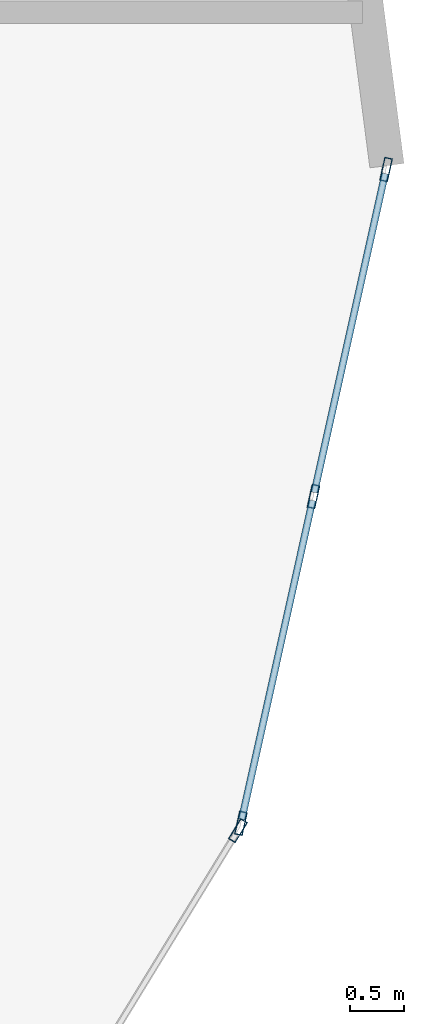
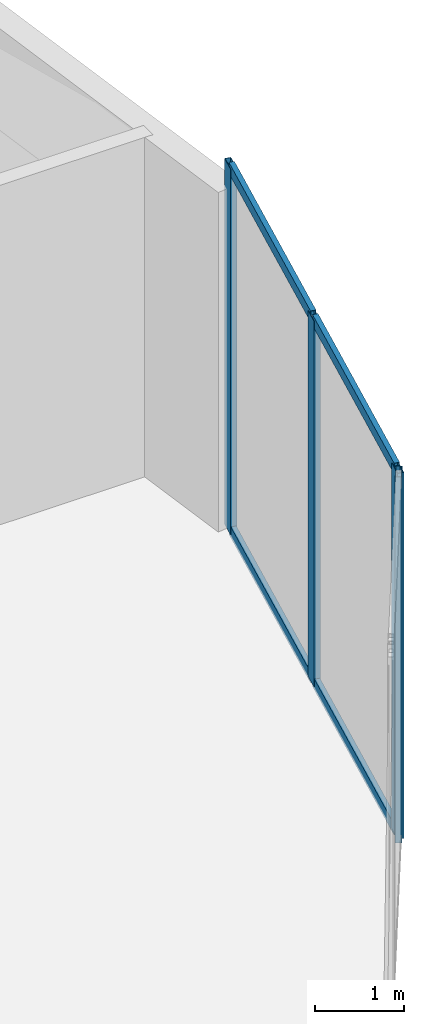
# One storey, part 14 of 31: 8 members, 2 elements without a shape of their own.
"""IFC4 building model written with IfcOpenShell, lengths in metres."""

import ifcopenshell
import ifcopenshell.guid

model = None  # the IFC model being written
_history = None  # IfcOwnerHistory: only IFC2X3 demands one
_inside = {}  # id of a spatial element -> (the spatial element, [elements in it])
_under = {}  # id of a project, library or spatial element -> (it, [spatial elements below it])
_declared = {}  # id of a project -> (the project, [libraries it declares])
_typed = {}  # id of a type object -> (the type object, [elements of that type])
_made_of = {}  # id of a material, layer set ... -> (it, [elements and type objects made of it])


def new_model(schema):
    """Start an empty IFC model of exactly this schema.

    Asked for "IFC4X3", IfcOpenShell would pick the latest addendum, in which some entities
    have other attributes; the version numbers below select the first issue.
    IFC2X3 requires an IfcOwnerHistory on every rooted entity: one is made here for all.
    """
    global model, _history
    if schema == "IFC4X3":
        model = ifcopenshell.file(schema_version=(4, 3, 0, 0))
    else:
        model = ifcopenshell.file(schema=schema)
    _inside.clear()
    _under.clear()
    _declared.clear()
    _typed.clear()
    _made_of.clear()
    _history = None
    if model.schema == "IFC2X3":
        org = make("IfcOrganization", Name="unknown")
        user = make(
            "IfcPersonAndOrganization",
            ThePerson=make("IfcPerson", FamilyName="unknown"),
            TheOrganization=org,
        )
        app = make(
            "IfcApplication",
            ApplicationDeveloper=org,
            Version="unknown",
            ApplicationFullName="unknown",
            ApplicationIdentifier="unknown",
        )
        _history = make(
            "IfcOwnerHistory",
            OwningUser=user,
            OwningApplication=app,
            ChangeAction="ADDED",
            CreationDate=0,
        )
    return model


def make(cls, **values):
    """One entity of the class cls with the attributes given. An attribute that is None is left unset."""
    return model.create_entity(
        cls, **{name: value for name, value in values.items() if value is not None}
    )


def rooted(cls, **values):
    """An entity with a GlobalId (a new one), such as an element, a storey or a relation."""
    return make(cls, GlobalId=ifcopenshell.guid.new(), OwnerHistory=_history, **values)


def si_unit(unit_type, name, prefix=None):
    """IfcSIUnit, for example si_unit("LENGTHUNIT", "METRE", prefix="MILLI")."""
    return make("IfcSIUnit", UnitType=unit_type, Prefix=prefix, Name=name)


def assignment(units):
    """IfcUnitAssignment: the units of a project."""
    return None if units is None else make("IfcUnitAssignment", Units=units)


def point(xyz):
    """IfcCartesianPoint."""
    return None if xyz is None else make("IfcCartesianPoint", Coordinates=xyz)


def direction(xyz):
    """IfcDirection."""
    return None if xyz is None else make("IfcDirection", DirectionRatios=xyz)


def frame(location, z_axis=None, x_axis=None):
    """IfcAxis2Placement3D, a coordinate frame: its origin and axes. An axis left out is left unset."""
    return make(
        "IfcAxis2Placement3D",
        Location=point(location),
        Axis=direction(z_axis),
        RefDirection=direction(x_axis),
    )


def frame_2d(location, x_axis=None):
    """IfcAxis2Placement2D, a coordinate frame in the plane: its origin and x axis."""
    return make(
        "IfcAxis2Placement2D", Location=point(location), RefDirection=direction(x_axis)
    )


def origin():
    """The frame at (0, 0, 0) with its axes left unset."""
    return frame((0.0, 0.0, 0.0))


def origin_2d():
    """The frame at (0, 0) in the plane with its x axis left unset."""
    return frame_2d((0.0, 0.0))


def place(relative_to, where):
    """IfcLocalPlacement: puts the frame where relative to a parent placement (None: the world)."""
    return make(
        "IfcLocalPlacement", PlacementRelTo=relative_to, RelativePlacement=where
    )


def context(
    kind, dimensions, precision=None, world=None, true_north=None, identifier=None
):
    """IfcGeometricRepresentationContext, for example the 3D "Model" context."""
    return make(
        "IfcGeometricRepresentationContext",
        ContextIdentifier=identifier,
        ContextType=kind,
        CoordinateSpaceDimension=dimensions,
        Precision=precision,
        WorldCoordinateSystem=world,
        TrueNorth=true_north,
    )


def subcontext(parent, identifier, kind, view, scale=None):
    """IfcGeometricRepresentationSubContext, for example "Body" below "Model"."""
    return make(
        "IfcGeometricRepresentationSubContext",
        ContextIdentifier=identifier,
        ContextType=kind,
        ParentContext=parent,
        TargetScale=scale,
        TargetView=view,
    )


def project(units=None, contexts=None):
    """IfcProject with its units and contexts."""
    return rooted(
        "IfcProject",
        Name="project",
        RepresentationContexts=contexts,
        UnitsInContext=assignment(units),
    )


def spatial(cls, under=None, at=None, **own):
    """A site, building, storey or space (cls), placed at a placement, below another one or the project."""
    s = rooted(cls, ObjectPlacement=at, **own)
    if under is not None:
        _under.setdefault(under.id(), (under, []))[1].append(s)
    return s


def profile(cls, at=None, kind="AREA", **sizes):
    """A parametric profile (cls). Its sizes go by their IFC names, for example OverallWidth=200.0."""
    return make(cls, ProfileType=kind, Position=at, **sizes)


def hollow_rectangle(**sizes):
    """IfcRectangleHollowProfileDef."""
    return profile("IfcRectangleHollowProfileDef", **sizes)


def extrude(swept, where, along, depth):
    """IfcExtrudedAreaSolid: the profile swept, set in the frame where, extruded along a direction by depth."""
    return make(
        "IfcExtrudedAreaSolid",
        SweptArea=swept,
        Position=where,
        ExtrudedDirection=direction(along),
        Depth=depth,
    )


def shape(context_of_items, identifier, shape_type, items):
    """IfcShapeRepresentation: the items that make up one representation, for example the "Body"."""
    return make(
        "IfcShapeRepresentation",
        ContextOfItems=context_of_items,
        RepresentationIdentifier=identifier,
        RepresentationType=shape_type,
        Items=items,
    )


def source(mapping_origin, context_of_items, identifier, shape_type, items):
    """IfcRepresentationMap: a shape defined once, which mapped items show again and again."""
    return make(
        "IfcRepresentationMap",
        MappingOrigin=mapping_origin,
        MappedRepresentation=shape(context_of_items, identifier, shape_type, items),
    )


def transform(
    local_origin,
    x_axis=None,
    y_axis=None,
    z_axis=None,
    scale=None,
    scale2=None,
    scale3=None,
    uniform=True,
):
    """IfcCartesianTransformationOperator3D, or its non-uniform kind. x_axis, y_axis, z_axis: its Axis1, 2, 3."""
    if uniform:
        return make(
            "IfcCartesianTransformationOperator3D",
            Axis1=direction(x_axis),
            Axis2=direction(y_axis),
            LocalOrigin=point(local_origin),
            Scale=scale,
            Axis3=direction(z_axis),
        )
    return make(
        "IfcCartesianTransformationOperator3DnonUniform",
        Axis1=direction(x_axis),
        Axis2=direction(y_axis),
        LocalOrigin=point(local_origin),
        Scale=scale,
        Axis3=direction(z_axis),
        Scale2=scale2,
        Scale3=scale3,
    )


def mapped(mapping_source, mapping_target):
    """IfcMappedItem: shows the shape of a source again, moved by a transform."""
    return make(
        "IfcMappedItem", MappingSource=mapping_source, MappingTarget=mapping_target
    )


def material(Name=None, Category=None):
    """IfcMaterial."""
    return make("IfcMaterial", Name=Name, Category=Category)


def layer(
    of_material, thickness, ventilated=None, Name=None, Category=None, Priority=None
):
    """IfcMaterialLayer: one layer of a wall or slab, of a material (None: an air gap)."""
    return make(
        "IfcMaterialLayer",
        Material=of_material,
        LayerThickness=thickness,
        IsVentilated=ventilated,
        Name=Name,
        Category=Category,
        Priority=Priority,
    )


def layer_set(layers, Name=None):
    """IfcMaterialLayerSet."""
    return make("IfcMaterialLayerSet", MaterialLayers=layers, LayerSetName=Name)


def material_profile(
    of_material, cross_section, Name=None, Category=None, Priority=None
):
    """IfcMaterialProfile: a cross section and its material."""
    return make(
        "IfcMaterialProfile",
        Name=Name,
        Material=of_material,
        Profile=cross_section,
        Priority=Priority,
        Category=Category,
    )


def profile_set(profiles, Name=None, composite=None):
    """IfcMaterialProfileSet."""
    return make(
        "IfcMaterialProfileSet",
        Name=Name,
        MaterialProfiles=profiles,
        CompositeProfile=composite,
    )


def made_of(thing, what):
    """Note that an element or type object is made of a material, layer set ...; save() writes the relation."""
    if what is not None:
        _made_of.setdefault(what.id(), (what, []))[1].append(thing)
    return thing


def type_object(cls, material=None, **own):
    """A type object (cls), such as IfcWallType, which elements share."""
    return made_of(rooted(cls, **own), material)


def element(
    cls,
    number,
    at=None,
    inside=None,
    cuts=None,
    type_object=None,
    material=None,
    context=None,
    identifier="Body",
    shape_type=None,
    held_by="IfcProductDefinitionShape",
    body=None,
    shapes=None,
    **own,
):
    """One element of the class cls, such as IfcWall. Its Tag is "e" and its number.

    at: its placement. inside: the storey or other place that contains it. cuts: it is an
    opening in that element (IfcRelVoidsElement). A single representation is given by context,
    identifier, shape_type and body (its items); several are given by shapes. held_by: the class
    of the entity that holds the representations. save() writes the other relations.
    """
    e = rooted(cls, Tag="e%d" % number, ObjectPlacement=at, **own)
    if body is not None:
        shapes = [shape(context, identifier, shape_type, body)]
    if shapes is not None:
        e.Representation = make(held_by, Representations=shapes)
    if inside is not None:
        _inside.setdefault(inside.id(), (inside, []))[1].append(e)
    if cuts is not None:
        rooted(
            "IfcRelVoidsElement", RelatingBuildingElement=cuts, RelatedOpeningElement=e
        )
    if type_object is not None:
        _typed.setdefault(type_object.id(), (type_object, []))[1].append(e)
    return made_of(e, material)


def aggregate(whole, parts):
    """IfcRelAggregates: a whole, such as a stair, and the parts it consists of."""
    return rooted("IfcRelAggregates", RelatingObject=whole, RelatedObjects=parts)


def save(model, path):
    """Write the relations noted so far, then the file.

    IfcRelAggregates (storeys below a building ...), IfcRelContainedInSpatialStructure (elements
    in a storey), IfcRelDefinesByType, IfcRelAssociatesMaterial and IfcRelDeclares: one each for
    every whole, place, type object, material and project.
    """
    for whole, parts in _under.values():
        aggregate(whole, parts)
    for where, things in _inside.values():
        rooted(
            "IfcRelContainedInSpatialStructure",
            RelatedElements=things,
            RelatingStructure=where,
        )
    for kind, things in _typed.values():
        rooted("IfcRelDefinesByType", RelatedObjects=things, RelatingType=kind)
    for what, things in _made_of.values():
        rooted("IfcRelAssociatesMaterial", RelatedObjects=things, RelatingMaterial=what)
    for by, libraries in _declared.values():
        rooted("IfcRelDeclares", RelatingContext=by, RelatedDefinitions=libraries)
    model.write(path)


model = new_model("IFC4")

# Units and contexts
model_context = context("Model", 3, precision=1e-05, world=origin(), true_north=direction((0.0, 1.0)))
body_context = subcontext(model_context, "Body", "Model", "MODEL_VIEW")
ifc_project = project(units=[si_unit("LENGTHUNIT", "METRE"), si_unit("AREAUNIT", "SQUARE_METRE"), si_unit("VOLUMEUNIT", "CUBIC_METRE"), si_unit("PLANEANGLEUNIT", "RADIAN"), si_unit("MASSUNIT", "GRAM", prefix="KILO")], contexts=[model_context])

# Site, building, storey
site_placement = place(None, origin())
site = spatial("IfcSite", under=ifc_project, at=site_placement, CompositionType="ELEMENT")
building_placement = place(site_placement, origin())
building = spatial("IfcBuilding", under=site, at=building_placement, Name="Solvirekh Grand Hotel", CompositionType="ELEMENT")
storey_placement = place(building_placement, frame((0.0, 0.0, 18.60009765625)))
storey = spatial("IfcBuildingStorey", under=building, at=storey_placement, Name="L03", CompositionType="ELEMENT", Elevation=18.60009765625)

# Curtain wall, members
ifc_material = material(Name="Anodized Bronze Aluminium 6063-T6", Category="aluminium")
ifc_layer = layer(ifc_material, 0.219970703125)
ifc_layer_set = layer_set([ifc_layer], Name="Anodized Bronze Aluminium 6063-T6")
curtain_wall_type = type_object("IfcCurtainWallType", Name="CW_Sys1_PodiumBronzeUnitised", PredefinedType="NOTDEFINED", material=ifc_layer_set)
curtain_wall_1_placement = place(storey_placement, origin())
curtain_wall_1 = element("IfcCurtainWall", 1, at=curtain_wall_1_placement, inside=storey, type_object=curtain_wall_type, Name="L03 unitised bronze-glass curtain wall CW-L03-C24", PredefinedType="NOTDEFINED")
ifc_material_profile_1 = material_profile(ifc_material, hollow_rectangle(XDim=0.06494140625, YDim=0.14990234375, WallThickness=0.0048828125, at=origin_2d()), Name="ALU RHS 150X65X5")
ifc_profile_set_1 = profile_set([ifc_material_profile_1], Name="Anodized Bronze Aluminium 6063-T6")
member_type_1 = type_object("IfcMemberType", Name="CWTransom_Sys1", PredefinedType="USERDEFINED", material=ifc_profile_set_1)
shared_shape_1 = source(origin(), body_context, "Body", "SweptSolid", [
    extrude(hollow_rectangle(XDim=0.06494140625, YDim=0.14990234375, WallThickness=0.0048828125, at=origin_2d()), origin(), (0.0, 0.0, 1.0), 3.041015625),
])
member_1_placement = place(storey_placement, frame((31.292724609375, -4.470947265625, 0.032470703125), z_axis=(0.216683934732, 0.976241810429, 0.0), x_axis=(-0.976241810429, 0.216683934732, 0.0)))
member_1 = element("IfcMember", 2, at=member_1_placement, type_object=member_type_1, Name="U01 transom 2.1", ObjectType="TRANSOM", PredefinedType="USERDEFINED", context=body_context, shape_type="MappedRepresentation", body=[
    mapped(shared_shape_1, transform((0.0, 0.0, 0.0), x_axis=(1.0, 0.0, 0.0), y_axis=(0.0, 1.0, 0.0), z_axis=(0.0, 0.0, 1.0), scale=1.0)),
])
member_2_placement = place(storey_placement, frame((31.292724609375, -4.470947265625, 4.96728515625), z_axis=(0.216683934732, 0.976241810429, 0.0), x_axis=(-0.976241810429, 0.216683934732, 0.0)))
member_2 = element("IfcMember", 3, at=member_2_placement, type_object=member_type_1, Name="U01 transom 2.2", ObjectType="TRANSOM", PredefinedType="USERDEFINED", context=body_context, shape_type="MappedRepresentation", body=[
    mapped(shared_shape_1, transform((0.0, 0.0, 0.0), x_axis=(1.0, 0.0, 0.0), y_axis=(0.0, 1.0, 0.0), z_axis=(0.0, 0.0, 1.0), scale=1.0)),
])
shared_shape_2 = source(origin(), body_context, "Body", "SweptSolid", [
    extrude(hollow_rectangle(XDim=0.06494140625, YDim=0.14990234375, WallThickness=0.0048828125, at=origin_2d()), origin(), (0.0, 0.0, 1.0), 3.040771484375),
])
member_3_placement = place(storey_placement, frame((30.6171875, -7.5126953125, 0.032470703125), z_axis=(0.216777435787, 0.976221052495, 0.0), x_axis=(-0.976221052495, 0.216777435787, 0.0)))
member_3 = element("IfcMember", 4, at=member_3_placement, type_object=member_type_1, Name="U01 transom 1.1", ObjectType="TRANSOM", PredefinedType="USERDEFINED", context=body_context, shape_type="MappedRepresentation", body=[
    mapped(shared_shape_2, transform((0.0, 0.0, 0.0), x_axis=(1.0, 0.0, 0.0), y_axis=(0.0, 1.0, 0.0), z_axis=(0.0, 0.0, 1.0), scale=1.0)),
])
member_4_placement = place(storey_placement, frame((30.6171875, -7.5126953125, 4.96728515625), z_axis=(0.216777435787, 0.976221052495, 0.0), x_axis=(-0.976221052495, 0.216777435787, 0.0)))
member_4 = element("IfcMember", 5, at=member_4_placement, type_object=member_type_1, Name="U01 transom 1.2", ObjectType="TRANSOM", PredefinedType="USERDEFINED", context=body_context, shape_type="MappedRepresentation", body=[
    mapped(shared_shape_2, transform((0.0, 0.0, 0.0), x_axis=(1.0, 0.0, 0.0), y_axis=(0.0, 1.0, 0.0), z_axis=(0.0, 0.0, 1.0), scale=1.0)),
])

# Curtain wall, member
curtain_wall_2_placement = place(storey_placement, origin())
curtain_wall_2 = element("IfcCurtainWall", 6, at=curtain_wall_2_placement, inside=storey, type_object=curtain_wall_type, Name="L03 unitised bronze-glass curtain wall CW-L03-C23", PredefinedType="NOTDEFINED")
ifc_material_profile_2 = material_profile(ifc_material, hollow_rectangle(XDim=0.074951171875, YDim=0.219970703125, WallThickness=0.006103515625, at=origin_2d()), Name="ALU RHS 220X75X6")
ifc_profile_set_2 = profile_set([ifc_material_profile_2], Name="Anodized Bronze Aluminium 6063-T6")
member_type_2 = type_object("IfcMemberType", Name="CWMullion_Sys1", PredefinedType="MULLION", material=ifc_profile_set_2)
shared_shape_3 = source(origin(), body_context, "Body", "SweptSolid", [
    extrude(hollow_rectangle(XDim=0.074951171875, YDim=0.219970703125, WallThickness=0.006103515625, at=origin_2d()), origin(), (0.0, 0.0, 1.0), 5.0),
])
member_5_placement = place(storey_placement, frame((30.58154296875, -7.617919921875, 0.0), z_axis=(0.0, 0.0, 1.0), x_axis=(-0.852922763762, 0.522037124212, 0.0)))
member_5 = element("IfcMember", 7, at=member_5_placement, type_object=member_type_2, Name="U01 mullion 3", PredefinedType="MULLION", context=body_context, shape_type="MappedRepresentation", body=[
    mapped(shared_shape_3, transform((0.0, 0.0, 0.0), x_axis=(1.0, 0.0, 0.0), y_axis=(0.0, 1.0, 0.0), z_axis=(0.0, 0.0, 1.0), scale=1.0)),
])
aggregate(curtain_wall_2, [member_5])

# Member
member_6_placement = place(storey_placement, frame((30.609130859375, -7.54931640625, 0.0), z_axis=(0.0, 0.0, 1.0), x_axis=(-0.976228080687, 0.216745783068, 0.0)))
member_6 = element("IfcMember", 8, at=member_6_placement, type_object=member_type_2, Name="U01 mullion 1", PredefinedType="MULLION", context=body_context, shape_type="MappedRepresentation", body=[
    mapped(shared_shape_3, transform((0.0, 0.0, 0.0), x_axis=(1.0, 0.0, 0.0), y_axis=(0.0, 1.0, 0.0), z_axis=(0.0, 0.0, 1.0), scale=1.0)),
])

member_7_placement = place(storey_placement, frame((31.284423828125, -4.507568359375, 0.0), z_axis=(0.0, 0.0, 1.0), x_axis=(-0.976228080687, 0.216745783068, 0.0)))
member_7 = element("IfcMember", 9, at=member_7_placement, type_object=member_type_2, Name="U01 mullion 2", PredefinedType="MULLION", context=body_context, shape_type="MappedRepresentation", body=[
    mapped(shared_shape_3, transform((0.0, 0.0, 0.0), x_axis=(1.0, 0.0, 0.0), y_axis=(0.0, 1.0, 0.0), z_axis=(0.0, 0.0, 1.0), scale=1.0)),
])

member_8_placement = place(storey_placement, frame((31.9599609375, -1.465576171875, 0.0), z_axis=(0.0, 0.0, 1.0), x_axis=(-0.976228080687, 0.216745783068, 0.0)))
member_8 = element("IfcMember", 10, at=member_8_placement, type_object=member_type_2, Name="U01 mullion 3", PredefinedType="MULLION", context=body_context, shape_type="MappedRepresentation", body=[
    mapped(shared_shape_3, transform((0.0, 0.0, 0.0), x_axis=(1.0, 0.0, 0.0), y_axis=(0.0, 1.0, 0.0), z_axis=(0.0, 0.0, 1.0), scale=1.0)),
])

aggregate(curtain_wall_1, [member_6, member_7, member_8, member_3, member_4, member_1, member_2])

save(model, "model.ifc")
